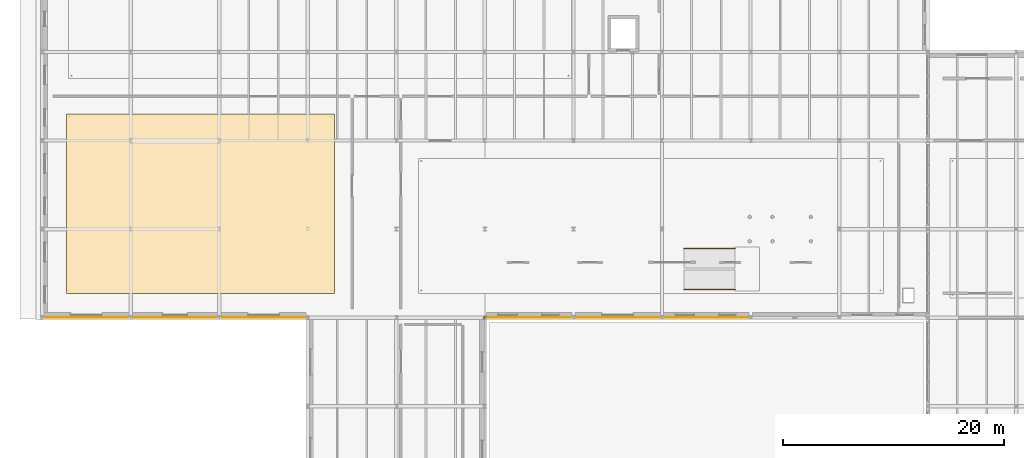
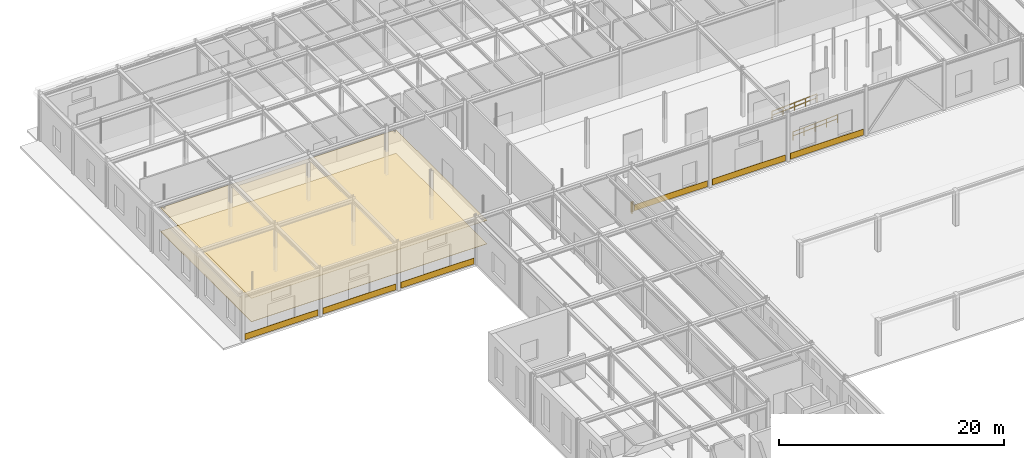
# One storey, part 116 of 129: 8 coverings, 3 railings.
"""IFC4 building model written with IfcOpenShell, lengths in metres."""

from ifc_helpers import new_model, si_unit, direction, frame, origin, origin_2d, place, context, subcontext, project, spatial, polyline, rectangle, circle, outline, extrude, material, layer, layer_set, type_object, element, save


model = new_model("IFC4")

# Units and contexts
model_context = context("Model", 3, precision=1e-05, world=origin(), true_north=direction((0.0, 1.0)))
body_context = subcontext(model_context, "Body", "Model", "MODEL_VIEW")
ifc_project = project(units=[si_unit("LENGTHUNIT", "METRE"), si_unit("AREAUNIT", "SQUARE_METRE"), si_unit("VOLUMEUNIT", "CUBIC_METRE"), si_unit("PLANEANGLEUNIT", "RADIAN"), si_unit("MASSUNIT", "GRAM", prefix="KILO")], contexts=[model_context])

# Site, building, storey
site_placement = place(None, origin())
site = spatial("IfcSite", under=ifc_project, at=site_placement, CompositionType="ELEMENT")
building_placement = place(site_placement, origin())
building = spatial("IfcBuilding", under=site, at=building_placement, Name="Sundkrona Museum", CompositionType="ELEMENT")
storey_placement = place(building_placement, origin())
storey = spatial("IfcBuildingStorey", under=building, at=storey_placement, Name="L00", CompositionType="ELEMENT", Elevation=0.0)

# Coverings
ifc_material_1 = material(Name="Perforated Acoustic Gypsum and Mineral Wool Ceiling", Category="other")
ifc_layer_1 = layer(ifc_material_1, 0.0400390625)
ifc_layer_set_1 = layer_set([ifc_layer_1], Name="Perforated Acoustic Gypsum and Mineral Wool Ceiling")
covering_type_1 = type_object("IfcCoveringType", Name="COV-CEIL-AC", PredefinedType="CEILING", material=ifc_layer_set_1)
covering_1_placement = place(storey_placement, frame((0.0, 0.0, 2.550048828125)))
element("IfcCovering", 1, at=covering_1_placement, inside=storey, type_object=covering_type_1, Name="L00 Permanent Visual Arts Gallery Acoustic Ceiling", PredefinedType="CEILING", context=body_context, shape_type="SweptSolid", body=[
    extrude(outline(polyline([(2.199951171875, 80.199951171875), (26.39990234375, 80.199951171875), (26.39990234375, 96.39990234375), (2.199951171875, 96.39990234375), (2.199951171875, 80.199951171875)])), origin(), (0.0, 0.0, 1.0), 0.0400390625),
])
ifc_material_2 = material(Name="Frost-Resistant Vitrified Stoneware Mosaic Cladding", Category="masonry")
ifc_layer_2 = layer(ifc_material_2, 0.044921875)
ifc_layer_set_2 = layer_set([ifc_layer_2], Name="Frost-Resistant Vitrified Stoneware Mosaic Cladding")
covering_type_2 = type_object("IfcCoveringType", Name="COV-CLD-MOS", PredefinedType="CLADDING", material=ifc_layer_set_2)
for number, where, z_axis, x_axis, name in (
    (2, (4.0, 78.0, 0.094970703125), (0.0, 0.0, 1.0), (1.0, 0.0, 0.0), "L00 Vitrified Stoneware Mosaic Spandrel 027"),
    (3, (12.0, 78.0, 0.094970703125), (0.0, 0.0, 1.0), (1.0, 0.0, 0.0), "L00 Vitrified Stoneware Mosaic Spandrel 028"),
    (4, (20.0, 78.0, 0.094970703125), (0.0, 0.0, 1.0), (1.0, 0.0, 0.0), "L00 Vitrified Stoneware Mosaic Spandrel 029"),
    (5, (44.0, 78.0, 0.094970703125), (0.0, 0.0, 1.0), (1.0, 0.0, 0.0), "L00 Vitrified Stoneware Mosaic Spandrel 030"),
    (6, (52.0, 78.0, 0.094970703125), (0.0, 0.0, 1.0), (1.0, 0.0, 0.0), "L00 Vitrified Stoneware Mosaic Spandrel 031"),
    (7, (60.0, 78.0, 0.094970703125), (0.0, 0.0, 1.0), (1.0, 0.0, 0.0), "L00 Vitrified Stoneware Mosaic Spandrel 032"),
):
    element("IfcCovering", number, at=place(storey_placement, frame(where, z_axis=z_axis, x_axis=x_axis)), inside=storey, type_object=covering_type_2, Name=name, PredefinedType="CLADDING", context=body_context, shape_type="SweptSolid", body=[
        extrude(rectangle(XDim=7.49609375, YDim=0.044921875, at=origin_2d()), origin(), (0.0, 0.0, 1.0), 0.64990234375),
    ])
ifc_material_3 = material(Name="Polished Scanian Limestone Terrazzo Flooring", Category="masonry")
ifc_layer_3 = layer(ifc_material_3, 0.034912109375)
ifc_layer_set_3 = layer_set([ifc_layer_3], Name="Polished Scanian Limestone Terrazzo Flooring")
covering_type_3 = type_object("IfcCoveringType", Name="COV-FLR-TZ", PredefinedType="FLOORING", material=ifc_layer_set_3)
covering_2_placement = place(storey_placement, origin())
element("IfcCovering", 8, at=covering_2_placement, inside=storey, type_object=covering_type_3, Name="L00 Permanent Visual Arts Gallery Terrazzo Flooring", PredefinedType="FLOORING", context=body_context, shape_type="SweptSolid", body=[
    extrude(outline(polyline([(2.199951171875, 80.199951171875), (26.39990234375, 80.199951171875), (26.39990234375, 96.39990234375), (2.199951171875, 96.39990234375), (2.199951171875, 80.199951171875)])), origin(), (0.0, 0.0, 1.0), 0.034912109375),
])

# Railings
ifc_material_4 = material(Name="Painted Steel S355J2 and Laminated Glass Balustrade", Category="steel")
railing_type_1 = type_object("IfcRailingType", Name="RL-GUARD-1100", PredefinedType="BALUSTRADE", material=ifc_material_4)
railing_1_placement = place(storey_placement, frame((40.152099609375, 78.06005859375, 0.0)))
element("IfcRailing", 9, at=railing_1_placement, inside=storey, type_object=railing_type_1, Name="L00 Edge Protection Balustrade 005", PredefinedType="BALUSTRADE", context=body_context, shape_type="SweptSolid", body=[
    extrude(circle(Radius=0.02392578125, at=origin_2d()), frame((0.0, 0.0, 1.09619140625), z_axis=(-1.0, 0.0, 0.0), x_axis=(0.0, -1.0, 0.0)), (0.0, 0.0, 1.0), 0.212158203125),
    extrude(circle(Radius=0.02392578125, at=origin_2d()), frame((0.0, 0.0, 0.56005859375), z_axis=(-1.0, 0.0, 0.0), x_axis=(0.0, -1.0, 0.0)), (0.0, 0.0, 1.0), 0.212158203125),
    extrude(circle(Radius=0.02392578125, at=origin_2d()), frame((-0.212158203125, 0.0, 1.09619140625), z_axis=(0.0, -1.0, 0.0), x_axis=(1.0, 0.0, 0.0)), (0.0, 0.0, 1.0), 0.2099609375),
    extrude(circle(Radius=0.02392578125, at=origin_2d()), frame((-0.212158203125, 0.0, 0.56005859375), z_axis=(0.0, -1.0, 0.0), x_axis=(1.0, 0.0, 0.0)), (0.0, 0.0, 1.0), 0.2099609375),
    extrude(circle(Radius=0.02099609375, at=origin_2d()), origin(), (0.0, 0.0, 1.0), 1.072021484375),
    extrude(circle(Radius=0.02099609375, at=origin_2d()), frame((-0.212158203125, 0.0, 0.0)), (0.0, 0.0, 1.0), 1.072021484375),
    extrude(circle(Radius=0.02099609375, at=origin_2d()), frame((-0.212158203125, -0.2099609375, 0.0)), (0.0, 0.0, 1.0), 1.072021484375),
])
ifc_material_5 = material(Name="Brushed Bronze-Clad Steel Handrail", Category="steel")
railing_type_2 = type_object("IfcRailingType", Name="RL-HAND-900", PredefinedType="HANDRAIL", material=ifc_material_5)
railing_2_placement = place(storey_placement, frame((58.0, 80.550048828125, 0.0)))
element("IfcRailing", 10, at=railing_2_placement, inside=storey, type_object=railing_type_2, Name="RMP-03 Handrail South", PredefinedType="HANDRAIL", context=body_context, shape_type="SweptSolid", body=[
    extrude(circle(Radius=0.02392578125, at=origin_2d()), frame((0.0, 0.0, 0.8759765625), z_axis=(0.998152272785, 0.0, 0.060762162025), x_axis=(0.0, 1.0, 0.0)), (0.0, 0.0, 1.0), 4.608642578125),
    extrude(circle(Radius=0.02392578125, at=origin_2d()), frame((0.0, 0.0, 0.449951171875), z_axis=(0.998152272785, 0.0, 0.060762162025), x_axis=(0.0, 1.0, 0.0)), (0.0, 0.0, 1.0), 4.608642578125),
    extrude(circle(Radius=0.02099609375, at=origin_2d()), origin(), (0.0, 0.0, 1.0), 0.851806640625),
    extrude(circle(Radius=0.02099609375, at=origin_2d()), frame((1.14990234375, 0.0, 0.070068359375)), (0.0, 0.0, 1.0), 0.851806640625),
    extrude(circle(Radius=0.02099609375, at=origin_2d()), frame((2.300048828125, 0.0, 0.14013671875)), (0.0, 0.0, 1.0), 0.851806640625),
    extrude(circle(Radius=0.02099609375, at=origin_2d()), frame((3.4501953125, 0.0, 0.2099609375)), (0.0, 0.0, 1.0), 0.851806640625),
    extrude(circle(Radius=0.02099609375, at=origin_2d()), frame((4.60009765625, 0.0, 0.280029296875)), (0.0, 0.0, 1.0), 0.851806640625),
])
railing_3_placement = place(storey_placement, frame((62.60009765625, 84.25, 0.280029296875)))
element("IfcRailing", 11, at=railing_3_placement, inside=storey, type_object=railing_type_2, Name="RMP-03 Handrail North", PredefinedType="HANDRAIL", context=body_context, shape_type="SweptSolid", body=[
    extrude(circle(Radius=0.02392578125, at=origin_2d()), frame((0.0, 0.0, 0.8759765625), z_axis=(-0.998152272785, 0.0, -0.060762162025), x_axis=(0.0, -1.0, 0.0)), (0.0, 0.0, 1.0), 4.608642578125),
    extrude(circle(Radius=0.02392578125, at=origin_2d()), frame((0.0, 0.0, 0.449951171875), z_axis=(-0.998152272785, 0.0, -0.060762162025), x_axis=(0.0, -1.0, 0.0)), (0.0, 0.0, 1.0), 4.608642578125),
    extrude(circle(Radius=0.02099609375, at=origin_2d()), origin(), (0.0, 0.0, 1.0), 0.851806640625),
    extrude(circle(Radius=0.02099609375, at=origin_2d()), frame((-1.14990234375, 0.0, -0.070068359375)), (0.0, 0.0, 1.0), 0.851806640625),
    extrude(circle(Radius=0.02099609375, at=origin_2d()), frame((-2.300048828125, 0.0, -0.14013671875)), (0.0, 0.0, 1.0), 0.851806640625),
    extrude(circle(Radius=0.02099609375, at=origin_2d()), frame((-3.4501953125, 0.0, -0.2099609375)), (0.0, 0.0, 1.0), 0.851806640625),
    extrude(circle(Radius=0.02099609375, at=origin_2d()), frame((-4.60009765625, 0.0, -0.280029296875)), (0.0, 0.0, 1.0), 0.851806640625),
])

save(model, "model.ifc")
